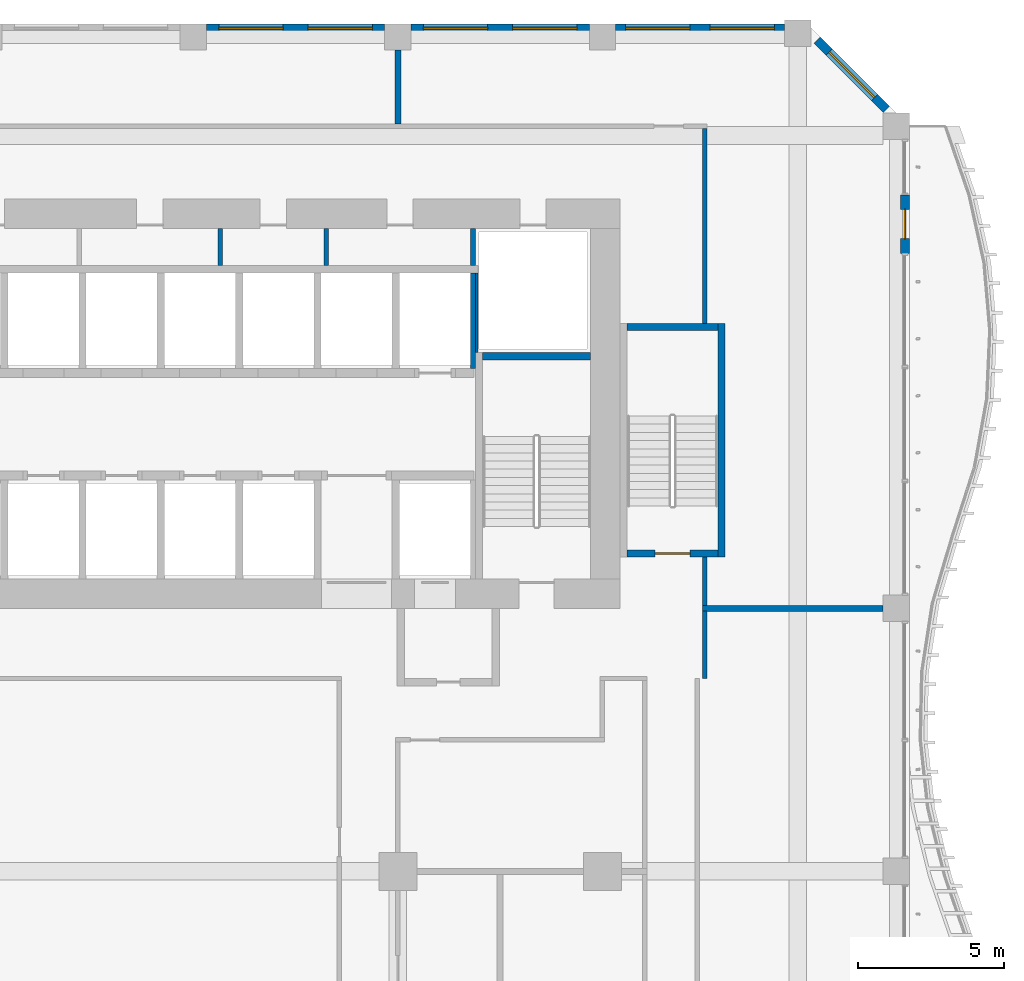
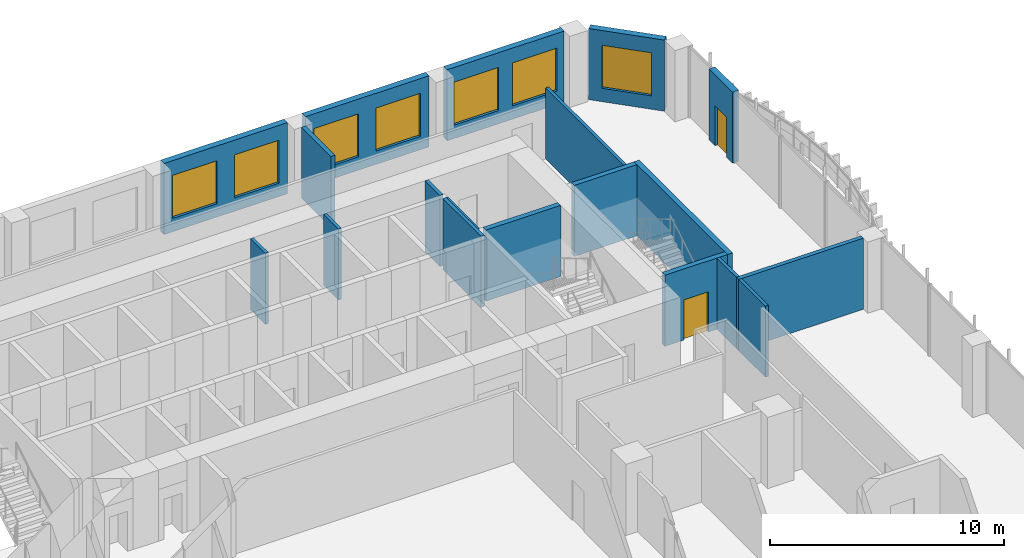
# One storey, part 15 of 24: 19 walls, 7 windows, 2 doors, 9 openings.
"""IFC4 building model written with IfcOpenShell, lengths in metres."""

from ifc_helpers import new_model, si_unit, direction, frame, frame_2d, origin, place, context, subcontext, project, spatial, rectangle, extrude, source, transform, mapped, material, layer, layer_set, type_object, element, fill, save


model = new_model("IFC4")

# Units and contexts
model_context = context("Model", 3, precision=1e-05, world=origin(), true_north=direction((0.0, 1.0)))
body_context = subcontext(model_context, "Body", "Model", "MODEL_VIEW")
ifc_project = project(units=[si_unit("LENGTHUNIT", "METRE"), si_unit("AREAUNIT", "SQUARE_METRE"), si_unit("VOLUMEUNIT", "CUBIC_METRE"), si_unit("PLANEANGLEUNIT", "RADIAN"), si_unit("MASSUNIT", "GRAM", prefix="KILO")], contexts=[model_context])

# Site, building, storey
site_placement = place(None, origin())
site = spatial("IfcSite", under=ifc_project, at=site_placement, CompositionType="ELEMENT")
building_placement = place(site_placement, origin())
building = spatial("IfcBuilding", under=site, at=building_placement, Name="Kilnfold Tower and Market Hall", CompositionType="ELEMENT")
storey_placement = place(building_placement, frame((0.0, 0.0, 35.0)))
storey = spatial("IfcBuildingStorey", under=building, at=storey_placement, Name="L07", CompositionType="ELEMENT", Elevation=35.0)

# Walls
ifc_material_1 = material(Name="Gypsum board on steel studs", Category="steel")
ifc_layer_1 = layer(ifc_material_1, 0.14990234375)
ifc_layer_set_1 = layer_set([ifc_layer_1], Name="Gypsum board on steel studs")
wall_type_1 = type_object("IfcWallType", Name="WALL CORRIDOR 150", PredefinedType="PARTITIONING", material=ifc_layer_set_1)
wall_1_placement = place(storey_placement, frame((21.0, 5.60009765625, 0.0), z_axis=(0.0, 0.0, 1.0), x_axis=(0.0, 1.0, 0.0)))
element("IfcWall", 1, at=wall_1_placement, inside=storey, type_object=wall_type_1, Name="Partition LY07.28", PredefinedType="PARTITIONING", context=body_context, shape_type="SweptSolid", body=[
    extrude(rectangle(XDim=2.309814453125, YDim=0.14990234375, at=frame_2d((1.15478515625, 0.0))), origin(), (0.0, 0.0, 1.0), 3.719970703125),
])
wall_2_placement = place(storey_placement, frame((21.0, 17.75, 0.0), z_axis=(0.0, 0.0, 1.0), x_axis=(0.0, 1.0, 0.0)))
element("IfcWall", 2, at=wall_2_placement, inside=storey, type_object=wall_type_1, Name="Partition LY07.30", PredefinedType="PARTITIONING", context=body_context, shape_type="SweptSolid", body=[
    extrude(rectangle(XDim=6.675048828125, YDim=0.14990234375, at=frame_2d((3.33740234375, 0.0))), origin(), (0.0, 0.0, 1.0), 3.719970703125),
])
wall_3_placement = place(storey_placement, frame((21.0, 8.090087890625, 0.0), z_axis=(0.0, 0.0, 1.0), x_axis=(0.0, 1.0, 0.0)))
element("IfcWall", 3, at=wall_3_placement, inside=storey, type_object=wall_type_1, Name="Partition LY07.31", PredefinedType="PARTITIONING", context=body_context, shape_type="SweptSolid", body=[
    extrude(rectangle(XDim=1.659912109375, YDim=0.14990234375, at=frame_2d((0.830078125, 0.0))), origin(), (0.0, 0.0, 1.0), 3.719970703125),
])
ifc_material_2 = material(Name="Gypsum board on steel studs", Category="steel")
ifc_layer_2 = layer(ifc_material_2, 0.199951171875)
ifc_layer_set_2 = layer_set([ifc_layer_2], Name="Gypsum board on steel studs")
wall_type_2 = type_object("IfcWallType", Name="WALL PARTY 200", PredefinedType="PARTITIONING", material=ifc_layer_set_2)
wall_4_placement = place(storey_placement, frame((20.926025390625, 8.0, 0.0), z_axis=(0.0, 0.0, 1.0), x_axis=(1.0, 0.0, 0.0)))
element("IfcWall", 4, at=wall_4_placement, inside=storey, type_object=wall_type_2, Name="Partition LY07.62", PredefinedType="PARTITIONING", context=body_context, shape_type="SweptSolid", body=[
    extrude(rectangle(XDim=6.174072265625, YDim=0.199951171875, at=frame_2d((3.0869140625, 0.0))), origin(), (0.0, 0.0, 1.0), 3.719970703125),
])
wall_5_placement = place(storey_placement, frame((10.5, 24.575927734375, 0.0), z_axis=(0.0, 0.0, 1.0), x_axis=(0.0, 1.0, 0.0)))
element("IfcWall", 5, at=wall_5_placement, inside=storey, type_object=wall_type_2, Name="Partition LY07.63", PredefinedType="PARTITIONING", context=body_context, shape_type="SweptSolid", body=[
    extrude(rectangle(XDim=2.524169921875, YDim=0.199951171875, at=frame_2d((1.26220703125, 0.0))), origin(), (0.0, 0.0, 1.0), 3.719970703125),
])
ifc_material_3 = material(Name="Concrete C80", Category="concrete")
ifc_layer_3 = layer(ifc_material_3, 0.25)
ifc_layer_set_3 = layer_set([ifc_layer_3], Name="Concrete C80")
wall_type_3 = type_object("IfcWallType", Name="CORE WALL 250 C80", PredefinedType="SHEAR", material=ifc_layer_set_3)
shared_shape_1 = source(origin(), body_context, "Body", "SweptSolid", [
    extrude(rectangle(XDim=3.7001953125, YDim=0.25, at=frame_2d((1.85009765625, 0.0))), origin(), (0.0, 0.0, 1.0), 3.719970703125),
])
wall_6_placement = place(storey_placement, frame((13.39990234375, 16.625, 0.0), z_axis=(0.0, 0.0, 1.0), x_axis=(1.0, 0.0, 0.0)))
element("IfcWall", 6, at=wall_6_placement, inside=storey, type_object=wall_type_3, Name="Stair enclosure ST2", PredefinedType="SHEAR", context=body_context, shape_type="MappedRepresentation", body=[
    mapped(shared_shape_1, transform((0.0, 0.0, 0.0))),
])
shared_shape_2 = source(origin(), body_context, "Body", "SweptSolid", [
    extrude(rectangle(XDim=8.0, YDim=0.25, at=frame_2d((4.0, 0.0))), origin(), (0.0, 0.0, 1.0), 3.719970703125),
])
wall_7_placement = place(storey_placement, frame((21.574951171875, 9.75, 0.0), z_axis=(0.0, 0.0, 1.0), x_axis=(0.0, 1.0, 0.0)))
element("IfcWall", 7, at=wall_7_placement, inside=storey, type_object=wall_type_3, Name="Stair enclosure ST5", PredefinedType="SHEAR", context=body_context, shape_type="MappedRepresentation", body=[
    mapped(shared_shape_2, transform((0.0, 0.0, 0.0))),
])

# Wall, opening, door
shared_shape_3 = source(origin(), body_context, "Body", "SweptSolid", [
    extrude(rectangle(XDim=3.099853515625, YDim=0.25, at=frame_2d((1.5498046875, 0.0))), origin(), (0.0, 0.0, 1.0), 3.719970703125),
])
wall_8_placement = place(storey_placement, frame((18.35009765625, 9.875, 0.0), z_axis=(0.0, 0.0, 1.0), x_axis=(1.0, 0.0, 0.0)))
wall_8 = element("IfcWall", 8, at=wall_8_placement, inside=storey, type_object=wall_type_3, Name="Stair enclosure ST5", PredefinedType="SHEAR", context=body_context, shape_type="MappedRepresentation", body=[
    mapped(shared_shape_3, transform((0.0, 0.0, 0.0))),
])
opening_1_placement = place(wall_8_placement, frame((0.949951171875, 0.0, 0.0)))
opening_1 = element("IfcOpeningElement", 9, at=opening_1_placement, cuts=wall_8, Name="Opening SD1", PredefinedType="OPENING", context=body_context, shape_type="SweptSolid", body=[
    extrude(rectangle(XDim=1.199951171875, YDim=2.10009765625, at=frame_2d((0.60009765625, 1.050048828125))), frame((0.0, 0.135009765625, 0.0), z_axis=(0.0, -1.0, 0.0), x_axis=(1.0, 0.0, 0.0)), (0.0, 0.0, 1.0), 0.27001953125),
])
ifc_material_4 = material(Name="Steel door set with fire-resisting leaf", Category="steel")
door_type_1 = type_object("IfcDoorType", Name="STAIR FLOOR DOOR 1200X2100", OperationType="NOTDEFINED", PredefinedType="DOOR", material=ifc_material_4)
door_1_placement = place(opening_1_placement, origin())
door_1 = element("IfcDoor", 10, at=door_1_placement, inside=storey, type_object=door_type_1, Name="Exit stair ST5 door", OperationType="DOUBLE_DOOR_SINGLE_SWING", OverallHeight=2.10009765625, OverallWidth=1.199951171875, PredefinedType="DOOR", context=body_context, shape_type="SweptSolid", body=[
    extrude(rectangle(XDim=1.199951171875, YDim=2.10009765625, at=frame_2d((0.60009765625, 1.050048828125))), frame((0.0, 0.02490234375, 0.0), z_axis=(0.0, -1.0, 0.0), x_axis=(1.0, 0.0, 0.0)), (0.0, 0.0, 1.0), 0.050048828125),
])
fill(opening_1, door_1)

# Wall
wall_9_placement = place(storey_placement, frame((18.35009765625, 17.625, 0.0), z_axis=(0.0, 0.0, 1.0), x_axis=(1.0, 0.0, 0.0)))
element("IfcWall", 11, at=wall_9_placement, inside=storey, type_object=wall_type_3, Name="Stair enclosure ST5", PredefinedType="SHEAR", context=body_context, shape_type="MappedRepresentation", body=[
    mapped(shared_shape_3, transform((0.0, 0.0, 0.0))),
])

# Wall, opening, door
ifc_material_5 = material(Name="Precast concrete C50/60", Category="concrete")
ifc_layer_4 = layer(ifc_material_5, 0.300048828125)
ifc_layer_set_4 = layer_set([ifc_layer_4], Name="Precast concrete C50/60")
wall_type_4 = type_object("IfcWallType", Name="PRECAST WALL 300", PredefinedType="SOLIDWALL", material=ifc_layer_set_4)
shared_shape_4 = source(origin(), body_context, "Body", "SweptSolid", [
    extrude(rectangle(XDim=2.0, YDim=0.300048828125, at=frame_2d((1.0, 0.0))), origin(), (0.0, 0.0, 1.0), 3.719970703125),
])
wall_10_placement = place(storey_placement, frame((27.85009765625, 20.14990234375, 0.0), z_axis=(0.0, 0.0, 1.0), x_axis=(0.0, 1.0, 0.0)))
wall_10 = element("IfcWall", 12, at=wall_10_placement, inside=storey, type_object=wall_type_4, Name="External wall L07 E", PredefinedType="SOLIDWALL", context=body_context, shape_type="MappedRepresentation", body=[
    mapped(shared_shape_4, transform((0.0, 0.0, 0.0))),
])
opening_2_placement = place(wall_10_placement, frame((0.5, 0.0, 0.0)))
opening_2 = element("IfcOpeningElement", 13, at=opening_2_placement, cuts=wall_10, Name="Opening BD1", PredefinedType="OPENING", context=body_context, shape_type="SweptSolid", body=[
    extrude(rectangle(XDim=1.0, YDim=2.10009765625, at=frame_2d((0.5, 1.050048828125))), frame((0.0, 0.16015625, 0.0), z_axis=(0.0, -1.0, 0.0), x_axis=(1.0, 0.0, 0.0)), (0.0, 0.0, 1.0), 0.320068359375),
])
ifc_material_6 = material(Name="Aluminium frame and double glazing", Category="aluminium")
door_type_2 = type_object("IfcDoorType", Name="BALCONY DOOR 1000X2100", OperationType="NOTDEFINED", PredefinedType="DOOR", material=ifc_material_6)
door_2_placement = place(opening_2_placement, origin())
door_2 = element("IfcDoor", 14, at=door_2_placement, inside=storey, type_object=door_type_2, Name="Balcony door BD1 L07 E-4", OperationType="SINGLE_SWING_RIGHT", OverallHeight=2.10009765625, OverallWidth=1.0, PredefinedType="DOOR", context=body_context, shape_type="SweptSolid", body=[
    extrude(rectangle(XDim=1.0, YDim=2.10009765625, at=frame_2d((0.5, 1.050048828125))), frame((0.0, 0.02490234375, 0.0), z_axis=(0.0, -1.0, 0.0), x_axis=(1.0, 0.0, 0.0)), (0.0, 0.0, 1.0), 0.050048828125),
])
fill(opening_2, door_2)

# Wall, opening, window
shared_shape_5 = source(origin(), body_context, "Body", "SweptSolid", [
    extrude(rectangle(XDim=3.35888671875, YDim=0.300048828125, at=frame_2d((1.679443359375, 0.0))), origin(), (0.0, 0.0, 1.0), 3.719970703125),
])
wall_11_placement = place(storey_placement, frame((27.218994140625, 25.06884765625, 0.0), z_axis=(0.0, 0.0, 1.0), x_axis=(-0.707070438228, 0.707143122278, 0.0)))
wall_11 = element("IfcWall", 15, at=wall_11_placement, inside=storey, type_object=wall_type_4, Name="External wall L07 NE", PredefinedType="SOLIDWALL", context=body_context, shape_type="MappedRepresentation", body=[
    mapped(shared_shape_5, transform((0.0, 0.0, 0.0))),
])
opening_3_placement = place(wall_11_placement, frame((0.579345703125, 0.0, 0.699951171875)))
opening_3 = element("IfcOpeningElement", 16, at=opening_3_placement, cuts=wall_11, Name="Opening W1", PredefinedType="OPENING", context=body_context, shape_type="SweptSolid", body=[
    extrude(rectangle(XDim=2.199951171875, YDim=2.25, at=frame_2d((1.10009765625, 1.125))), frame((0.0, 0.16015625, 0.0), z_axis=(0.0, -1.0, 0.0), x_axis=(1.0, 0.0, 0.0)), (0.0, 0.0, 1.0), 0.320068359375),
])
ifc_material_7 = material(Name="Aluminium frame and double glazing", Category="aluminium")
window_type = type_object("IfcWindowType", Name="WINDOW W1 2200X2250", PartitioningType="SINGLE_PANEL", PredefinedType="WINDOW", material=ifc_material_7)
window_1_placement = place(opening_3_placement, origin())
window_1 = element("IfcWindow", 17, at=window_1_placement, inside=storey, type_object=window_type, Name="Window W1 L07 NE-1", OverallHeight=2.25, OverallWidth=2.199951171875, PartitioningType="SINGLE_PANEL", PredefinedType="WINDOW", context=body_context, shape_type="SweptSolid", body=[
    extrude(rectangle(XDim=2.199951171875, YDim=2.25, at=frame_2d((1.10009765625, 1.125))), frame((0.0, 0.030029296875, 0.0), z_axis=(0.0, -1.0, 0.0), x_axis=(1.0, 0.0, 0.0)), (0.0, 0.0, 1.0), 0.06005859375),
])
fill(opening_3, window_1)

# Wall, openings, windows
shared_shape_6 = source(origin(), body_context, "Body", "SweptSolid", [
    extrude(rectangle(XDim=5.78173828125, YDim=0.300048828125, at=frame_2d((2.890869140625, 0.0))), origin(), (0.0, 0.0, 1.0), 3.719970703125),
])
wall_12_placement = place(storey_placement, frame((23.731689453125, 27.85009765625, 0.0), z_axis=(0.0, 0.0, 1.0), x_axis=(-1.0, 0.0, 0.0)))
wall_12 = element("IfcWall", 18, at=wall_12_placement, inside=storey, type_object=wall_type_4, Name="External wall L07 N", PredefinedType="SOLIDWALL", context=body_context, shape_type="MappedRepresentation", body=[
    mapped(shared_shape_6, transform((0.0, 0.0, 0.0))),
])
opening_4_placement = place(wall_12_placement, frame((0.345458984375, 0.0, 0.699951171875)))
opening_4 = element("IfcOpeningElement", 19, at=opening_4_placement, cuts=wall_12, Name="Opening W1", PredefinedType="OPENING", context=body_context, shape_type="SweptSolid", body=[
    extrude(rectangle(XDim=2.199951171875, YDim=2.25, at=frame_2d((1.10009765625, 1.125))), frame((0.0, 0.16015625, 0.0), z_axis=(0.0, -1.0, 0.0), x_axis=(1.0, 0.0, 0.0)), (0.0, 0.0, 1.0), 0.320068359375),
])
opening_5_placement = place(wall_12_placement, frame((3.236328125, 0.0, 0.699951171875)))
opening_5 = element("IfcOpeningElement", 20, at=opening_5_placement, cuts=wall_12, Name="Opening W1", PredefinedType="OPENING", context=body_context, shape_type="SweptSolid", body=[
    extrude(rectangle(XDim=2.199951171875, YDim=2.25, at=frame_2d((1.10009765625, 1.125))), frame((0.0, 0.16015625, 0.0), z_axis=(0.0, -1.0, 0.0), x_axis=(1.0, 0.0, 0.0)), (0.0, 0.0, 1.0), 0.320068359375),
])
window_2_placement = place(opening_4_placement, origin())
window_2 = element("IfcWindow", 21, at=window_2_placement, inside=storey, type_object=window_type, Name="Window W1 L07 N-1", OverallHeight=2.25, OverallWidth=2.199951171875, PartitioningType="SINGLE_PANEL", PredefinedType="WINDOW", context=body_context, shape_type="SweptSolid", body=[
    extrude(rectangle(XDim=2.199951171875, YDim=2.25, at=frame_2d((1.10009765625, 1.125))), frame((0.0, 0.030029296875, 0.0), z_axis=(0.0, -1.0, 0.0), x_axis=(1.0, 0.0, 0.0)), (0.0, 0.0, 1.0), 0.06005859375),
])
fill(opening_4, window_2)
window_3_placement = place(opening_5_placement, origin())
window_3 = element("IfcWindow", 22, at=window_3_placement, inside=storey, type_object=window_type, Name="Window W1 L07 N-2", OverallHeight=2.25, OverallWidth=2.199951171875, PartitioningType="SINGLE_PANEL", PredefinedType="WINDOW", context=body_context, shape_type="SweptSolid", body=[
    extrude(rectangle(XDim=2.199951171875, YDim=2.25, at=frame_2d((1.10009765625, 1.125))), frame((0.0, 0.030029296875, 0.0), z_axis=(0.0, -1.0, 0.0), x_axis=(1.0, 0.0, 0.0)), (0.0, 0.0, 1.0), 0.06005859375),
])
fill(opening_5, window_3)

shared_shape_7 = source(origin(), body_context, "Body", "SweptSolid", [
    extrude(rectangle(XDim=6.10009765625, YDim=0.300048828125, at=frame_2d((3.050048828125, 0.0))), origin(), (0.0, 0.0, 1.0), 3.719970703125),
])
wall_13_placement = place(storey_placement, frame((17.050048828125, 27.85009765625, 0.0), z_axis=(0.0, 0.0, 1.0), x_axis=(-1.0, 0.0, 0.0)))
wall_13 = element("IfcWall", 23, at=wall_13_placement, inside=storey, type_object=wall_type_4, Name="External wall L07 N", PredefinedType="SOLIDWALL", context=body_context, shape_type="MappedRepresentation", body=[
    mapped(shared_shape_7, transform((0.0, 0.0, 0.0))),
])
opening_6_placement = place(wall_13_placement, frame((0.425048828125, 0.0, 0.699951171875)))
opening_6 = element("IfcOpeningElement", 24, at=opening_6_placement, cuts=wall_13, Name="Opening W1", PredefinedType="OPENING", context=body_context, shape_type="SweptSolid", body=[
    extrude(rectangle(XDim=2.199951171875, YDim=2.25, at=frame_2d((1.10009765625, 1.125))), frame((0.0, 0.16015625, 0.0), z_axis=(0.0, -1.0, 0.0), x_axis=(1.0, 0.0, 0.0)), (0.0, 0.0, 1.0), 0.320068359375),
])
opening_7_placement = place(wall_13_placement, frame((3.47509765625, 0.0, 0.699951171875)))
opening_7 = element("IfcOpeningElement", 25, at=opening_7_placement, cuts=wall_13, Name="Opening W1", PredefinedType="OPENING", context=body_context, shape_type="SweptSolid", body=[
    extrude(rectangle(XDim=2.199951171875, YDim=2.25, at=frame_2d((1.10009765625, 1.125))), frame((0.0, 0.16015625, 0.0), z_axis=(0.0, -1.0, 0.0), x_axis=(1.0, 0.0, 0.0)), (0.0, 0.0, 1.0), 0.320068359375),
])
window_4_placement = place(opening_6_placement, origin())
window_4 = element("IfcWindow", 26, at=window_4_placement, inside=storey, type_object=window_type, Name="Window W1 L07 N-1", OverallHeight=2.25, OverallWidth=2.199951171875, PartitioningType="SINGLE_PANEL", PredefinedType="WINDOW", context=body_context, shape_type="SweptSolid", body=[
    extrude(rectangle(XDim=2.199951171875, YDim=2.25, at=frame_2d((1.10009765625, 1.125))), frame((0.0, 0.030029296875, 0.0), z_axis=(0.0, -1.0, 0.0), x_axis=(1.0, 0.0, 0.0)), (0.0, 0.0, 1.0), 0.06005859375),
])
fill(opening_6, window_4)
window_5_placement = place(opening_7_placement, origin())
window_5 = element("IfcWindow", 27, at=window_5_placement, inside=storey, type_object=window_type, Name="Window W1 L07 N-2", OverallHeight=2.25, OverallWidth=2.199951171875, PartitioningType="SINGLE_PANEL", PredefinedType="WINDOW", context=body_context, shape_type="SweptSolid", body=[
    extrude(rectangle(XDim=2.199951171875, YDim=2.25, at=frame_2d((1.10009765625, 1.125))), frame((0.0, 0.030029296875, 0.0), z_axis=(0.0, -1.0, 0.0), x_axis=(1.0, 0.0, 0.0)), (0.0, 0.0, 1.0), 0.06005859375),
])
fill(opening_7, window_5)

wall_14_placement = place(storey_placement, frame((10.050048828125, 27.85009765625, 0.0), z_axis=(0.0, 0.0, 1.0), x_axis=(-1.0, 0.0, 0.0)))
wall_14 = element("IfcWall", 28, at=wall_14_placement, inside=storey, type_object=wall_type_4, Name="External wall L07 N", PredefinedType="SOLIDWALL", context=body_context, shape_type="MappedRepresentation", body=[
    mapped(shared_shape_7, transform((0.0, 0.0, 0.0))),
])
opening_8_placement = place(wall_14_placement, frame((0.425048828125, 0.0, 0.699951171875)))
opening_8 = element("IfcOpeningElement", 29, at=opening_8_placement, cuts=wall_14, Name="Opening W1", PredefinedType="OPENING", context=body_context, shape_type="SweptSolid", body=[
    extrude(rectangle(XDim=2.199951171875, YDim=2.25, at=frame_2d((1.10009765625, 1.125))), frame((0.0, 0.16015625, 0.0), z_axis=(0.0, -1.0, 0.0), x_axis=(1.0, 0.0, 0.0)), (0.0, 0.0, 1.0), 0.320068359375),
])
opening_9_placement = place(wall_14_placement, frame((3.47509765625, 0.0, 0.699951171875)))
opening_9 = element("IfcOpeningElement", 30, at=opening_9_placement, cuts=wall_14, Name="Opening W1", PredefinedType="OPENING", context=body_context, shape_type="SweptSolid", body=[
    extrude(rectangle(XDim=2.199951171875, YDim=2.25, at=frame_2d((1.10009765625, 1.125))), frame((0.0, 0.16015625, 0.0), z_axis=(0.0, -1.0, 0.0), x_axis=(1.0, 0.0, 0.0)), (0.0, 0.0, 1.0), 0.320068359375),
])
window_6_placement = place(opening_8_placement, origin())
window_6 = element("IfcWindow", 31, at=window_6_placement, inside=storey, type_object=window_type, Name="Window W1 L07 N-1", OverallHeight=2.25, OverallWidth=2.199951171875, PartitioningType="SINGLE_PANEL", PredefinedType="WINDOW", context=body_context, shape_type="SweptSolid", body=[
    extrude(rectangle(XDim=2.199951171875, YDim=2.25, at=frame_2d((1.10009765625, 1.125))), frame((0.0, 0.030029296875, 0.0), z_axis=(0.0, -1.0, 0.0), x_axis=(1.0, 0.0, 0.0)), (0.0, 0.0, 1.0), 0.06005859375),
])
fill(opening_8, window_6)
window_7_placement = place(opening_9_placement, origin())
window_7 = element("IfcWindow", 32, at=window_7_placement, inside=storey, type_object=window_type, Name="Window W1 L07 N-2", OverallHeight=2.25, OverallWidth=2.199951171875, PartitioningType="SINGLE_PANEL", PredefinedType="WINDOW", context=body_context, shape_type="SweptSolid", body=[
    extrude(rectangle(XDim=2.199951171875, YDim=2.25, at=frame_2d((1.10009765625, 1.125))), frame((0.0, 0.030029296875, 0.0), z_axis=(0.0, -1.0, 0.0), x_axis=(1.0, 0.0, 0.0)), (0.0, 0.0, 1.0), 0.06005859375),
])
fill(opening_9, window_7)

# Walls
ifc_material_8 = material(Name="Gypsum shaft wall system")
ifc_layer_5 = layer(ifc_material_8, 0.1650390625)
ifc_layer_set_5 = layer_set([ifc_layer_5], Name="Gypsum shaft wall system")
wall_type_5 = type_object("IfcWallType", Name="SHAFT WALL 165", PredefinedType="PARTITIONING", material=ifc_layer_set_5)
shared_shape_8 = source(origin(), body_context, "Body", "SweptSolid", [
    extrude(rectangle(XDim=3.275146484375, YDim=0.1650390625, at=frame_2d((1.6376953125, 0.0))), origin(), (0.0, 0.0, 1.0), 3.719970703125),
])
wall_15_placement = place(storey_placement, frame((13.0673828125, 16.199951171875, 0.0), z_axis=(0.0, 0.0, 1.0), x_axis=(0.0, 1.0, 0.0)))
element("IfcWall", 33, at=wall_15_placement, inside=storey, type_object=wall_type_5, Name="Lift shaft wall", PredefinedType="PARTITIONING", context=body_context, shape_type="MappedRepresentation", body=[
    mapped(shared_shape_8, transform((0.0, 0.0, 0.0))),
])
shared_shape_9 = source(origin(), body_context, "Body", "SweptSolid", [
    extrude(rectangle(XDim=1.27490234375, YDim=0.1650390625, at=frame_2d((0.637451171875, 0.0))), origin(), (0.0, 0.0, 1.0), 3.719970703125),
])
wall_16_placement = place(storey_placement, frame((13.0673828125, 19.72509765625, 0.0), z_axis=(0.0, 0.0, 1.0), x_axis=(0.0, 1.0, 0.0)))
element("IfcWall", 34, at=wall_16_placement, inside=storey, type_object=wall_type_5, Name="Lift shaft wall", PredefinedType="PARTITIONING", context=body_context, shape_type="MappedRepresentation", body=[
    mapped(shared_shape_9, transform((0.0, 0.0, 0.0))),
])
ifc_material_9 = material(Name="Gypsum shaft wall system")
ifc_layer_6 = layer(ifc_material_9, 0.0849609375)
ifc_layer_set_6 = layer_set([ifc_layer_6], Name="Gypsum shaft wall system")
wall_type_6 = type_object("IfcWallType", Name="SHAFT WALL 85", PredefinedType="PARTITIONING", material=ifc_layer_set_6)
shared_shape_10 = source(origin(), body_context, "Body", "SweptSolid", [
    extrude(rectangle(XDim=2.72509765625, YDim=0.0849609375, at=frame_2d((1.362548828125, 0.0))), origin(), (0.0, 0.0, 1.0), 3.719970703125),
])
wall_17_placement = place(storey_placement, frame((13.1923828125, 16.75, 0.0), z_axis=(0.0, 0.0, 1.0), x_axis=(0.0, 1.0, 0.0)))
element("IfcWall", 35, at=wall_17_placement, inside=storey, type_object=wall_type_6, Name="Lift shaft wall", PredefinedType="PARTITIONING", context=body_context, shape_type="MappedRepresentation", body=[
    mapped(shared_shape_10, transform((0.0, 0.0, 0.0))),
])
ifc_material_10 = material(Name="Gypsum shaft wall system")
ifc_layer_7 = layer(ifc_material_10, 0.14990234375)
ifc_layer_set_7 = layer_set([ifc_layer_7], Name="Gypsum shaft wall system")
wall_type_7 = type_object("IfcWallType", Name="ROOM WALL 150", PredefinedType="PARTITIONING", material=ifc_layer_set_7)
shared_shape_11 = source(origin(), body_context, "Body", "SweptSolid", [
    extrude(rectangle(XDim=1.27490234375, YDim=0.14990234375, at=frame_2d((0.637451171875, 0.0))), origin(), (0.0, 0.0, 1.0), 3.719970703125),
])
for number, where, z_axis, x_axis, name in (
    (36, (4.4267578125, 19.72509765625, 0.0), (0.0, 0.0, 1.0), (0.0, 1.0, 0.0), "Core room wall"),
    (37, (8.044921875, 19.72509765625, 0.0), (0.0, 0.0, 1.0), (0.0, 1.0, 0.0), "Core room wall"),
):
    element("IfcWall", number, at=place(storey_placement, frame(where, z_axis=z_axis, x_axis=x_axis)), inside=storey, type_object=wall_type_7, Name=name, PredefinedType="PARTITIONING", context=body_context, shape_type="MappedRepresentation", body=[
        mapped(shared_shape_11, transform((0.0, 0.0, 0.0))),
    ])

save(model, "model.ifc")
